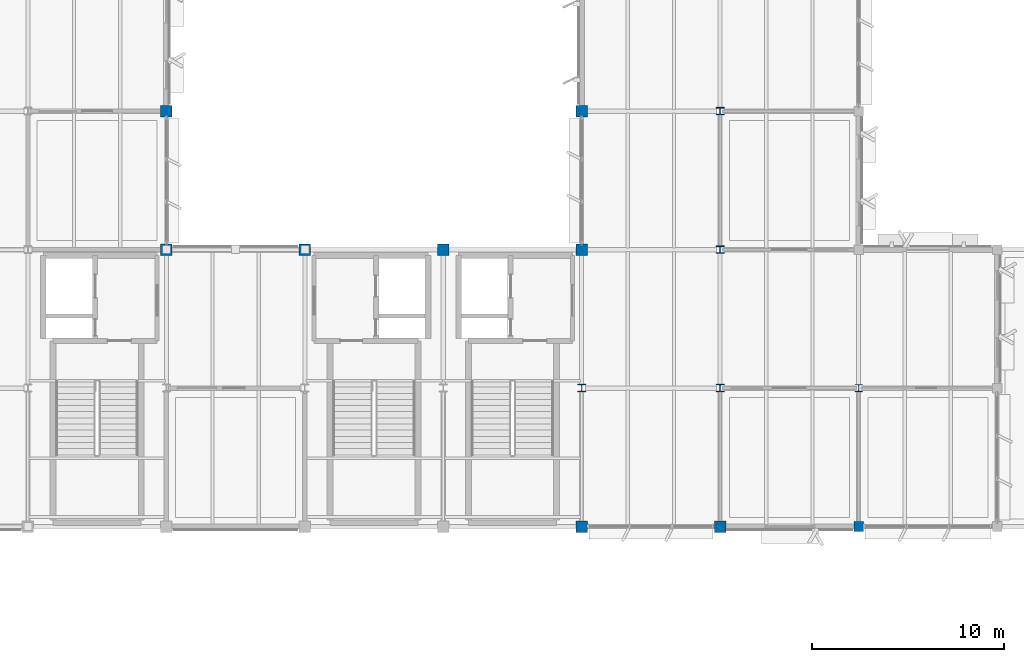
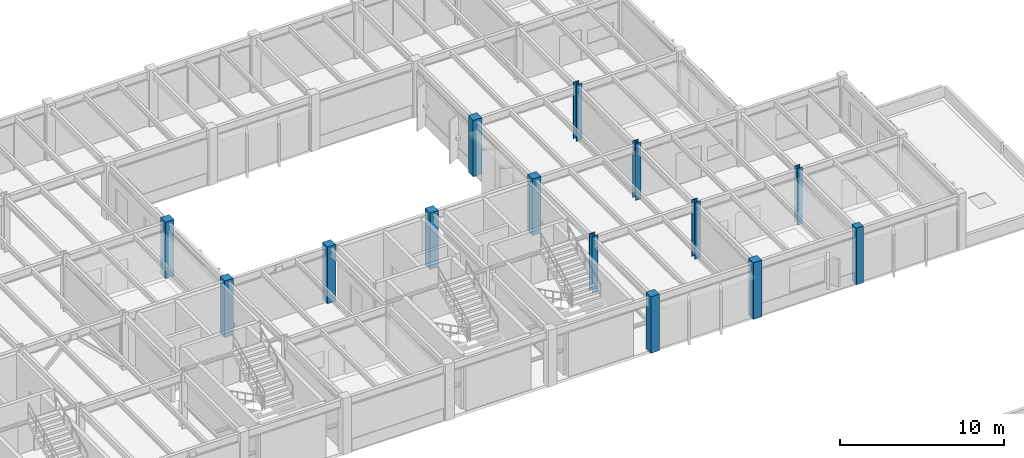
# One storey, part 11 of 85: 14 columns.
"""IFC4 building model written with IfcOpenShell, lengths in metres."""

from ifc_helpers import new_model, si_unit, direction, frame, origin, origin_2d, place, context, subcontext, project, spatial, rectangle, i_section, extrude, material, material_profile, profile_set, type_object, element, save


model = new_model("IFC4")

# Units and contexts
model_context = context("Model", 3, precision=1e-05, world=origin(), true_north=direction((0.0, 1.0)))
body_context = subcontext(model_context, "Body", "Model", "MODEL_VIEW")
ifc_project = project(units=[si_unit("LENGTHUNIT", "METRE"), si_unit("AREAUNIT", "SQUARE_METRE"), si_unit("VOLUMEUNIT", "CUBIC_METRE"), si_unit("PLANEANGLEUNIT", "RADIAN"), si_unit("MASSUNIT", "GRAM", prefix="KILO")], contexts=[model_context])

# Site, building, storey
site_placement = place(None, origin())
site = spatial("IfcSite", under=ifc_project, at=site_placement, CompositionType="ELEMENT")
building_placement = place(site_placement, origin())
building = spatial("IfcBuilding", under=site, at=building_placement, Name="Sillqori Civic Hall", CompositionType="ELEMENT")
storey_placement = place(building_placement, frame((0.0, 0.0, 9.89990234375)))
storey = spatial("IfcBuildingStorey", under=building, at=storey_placement, Name="L03", CompositionType="ELEMENT", Elevation=9.89990234375)

# Columns
ifc_material_1 = material(Name="Concrete C35/45 (H35)", Category="concrete")
ifc_material_profile_1 = material_profile(ifc_material_1, rectangle(XDim=0.5, YDim=0.5, at=origin_2d()), Name="RC 500x500")
ifc_profile_set_1 = profile_set([ifc_material_profile_1], Name="Concrete C35/45 (H35)")
column_type_1 = type_object("IfcColumnType", Name="COL-RC500", PredefinedType="COLUMN", material=ifc_profile_set_1)
column_1_placement = place(storey_placement, frame((108.0, 79.199951171875, 0.0), z_axis=(0.0, 0.0, 1.0), x_axis=(1.0, 0.0, 0.0)))
element("IfcColumn", 1, at=column_1_placement, inside=storey, type_object=column_type_1, Name="L03 column 15-11", PredefinedType="COLUMN", context=body_context, shape_type="SweptSolid", body=[
    extrude(rectangle(XDim=0.5, YDim=0.5, at=origin_2d()), origin(), (0.0, 0.0, 1.0), 4.2001953125),
])
ifc_material_profile_2 = material_profile(ifc_material_1, rectangle(XDim=0.60009765625, YDim=0.60009765625, at=origin_2d()), Name="RC 600x600")
ifc_profile_set_2 = profile_set([ifc_material_profile_2], Name="Concrete C35/45 (H35)")
column_type_2 = type_object("IfcColumnType", Name="COL-RC600", PredefinedType="COLUMN", material=ifc_profile_set_2)
for number, where, z_axis, x_axis, name in (
    (2, (72.0, 93.60009765625, 0.0), (0.0, 0.0, 1.0), (1.0, 0.0, 0.0), "L03 column 10-13"),
    (3, (72.0, 100.800048828125, 0.0), (0.0, 0.0, 1.0), (1.0, 0.0, 0.0), "L03 column 10-14"),
    (4, (79.199951171875, 93.60009765625, 0.0), (0.0, 0.0, 1.0), (1.0, 0.0, 0.0), "L03 column 11-13"),
    (5, (86.39990234375, 93.60009765625, 0.0), (0.0, 0.0, 1.0), (1.0, 0.0, 0.0), "L03 column 12-13"),
    (6, (93.60009765625, 79.199951171875, 0.0), (0.0, 0.0, 1.0), (1.0, 0.0, 0.0), "L03 column 13-11"),
    (7, (93.60009765625, 93.60009765625, 0.0), (0.0, 0.0, 1.0), (1.0, 0.0, 0.0), "L03 column 13-13"),
    (8, (93.60009765625, 100.800048828125, 0.0), (0.0, 0.0, 1.0), (1.0, 0.0, 0.0), "L03 column 13-14"),
    (9, (100.800048828125, 79.199951171875, 0.0), (0.0, 0.0, 1.0), (1.0, 0.0, 0.0), "L03 column 14-11"),
):
    element("IfcColumn", number, at=place(storey_placement, frame(where, z_axis=z_axis, x_axis=x_axis)), inside=storey, type_object=column_type_2, Name=name, PredefinedType="COLUMN", context=body_context, shape_type="SweptSolid", body=[
        extrude(rectangle(XDim=0.60009765625, YDim=0.60009765625, at=origin_2d()), origin(), (0.0, 0.0, 1.0), 4.2001953125),
    ])
ifc_material_2 = material(Name="Steel ASTM A992", Category="steel")
ifc_material_profile_3 = material_profile(ifc_material_2, i_section(OverallWidth=0.39892578125, OverallDepth=0.385986328125, WebThickness=0.02099609375, FlangeThickness=0.033203125, FilletRadius=0.014892578125, at=origin_2d()), Name="W14X176")
ifc_profile_set_3 = profile_set([ifc_material_profile_3], Name="Steel ASTM A992")
column_type_3 = type_object("IfcColumnType", Name="COL-W14X176", PredefinedType="COLUMN", material=ifc_profile_set_3)
for number, where, z_axis, x_axis, name in (
    (10, (93.60009765625, 86.39990234375, 0.0), (0.0, 0.0, 1.0), (1.0, 0.0, 0.0), "L03 column 13-12"),
    (11, (100.800048828125, 86.39990234375, 0.0), (0.0, 0.0, 1.0), (1.0, 0.0, 0.0), "L03 column 14-12"),
    (12, (100.800048828125, 93.60009765625, 0.0), (0.0, 0.0, 1.0), (1.0, 0.0, 0.0), "L03 column 14-13"),
    (13, (100.800048828125, 100.800048828125, 0.0), (0.0, 0.0, 1.0), (1.0, 0.0, 0.0), "L03 column 14-14"),
):
    element("IfcColumn", number, at=place(storey_placement, frame(where, z_axis=z_axis, x_axis=x_axis)), inside=storey, type_object=column_type_3, Name=name, PredefinedType="COLUMN", context=body_context, shape_type="SweptSolid", body=[
        extrude(i_section(OverallWidth=0.39892578125, OverallDepth=0.385986328125, WebThickness=0.02099609375, FlangeThickness=0.033203125, FilletRadius=0.014892578125, at=origin_2d()), origin(), (0.0, 0.0, 1.0), 4.2001953125),
    ])
ifc_material_profile_4 = material_profile(ifc_material_2, i_section(OverallWidth=0.37109375, OverallDepth=0.361083984375, WebThickness=0.012451171875, FlangeThickness=0.019775390625, FilletRadius=0.014892578125, at=origin_2d()), Name="W14X99")
ifc_profile_set_4 = profile_set([ifc_material_profile_4], Name="Steel ASTM A992")
column_type_4 = type_object("IfcColumnType", Name="COL-W14X99", PredefinedType="COLUMN", material=ifc_profile_set_4)
column_2_placement = place(storey_placement, frame((108.0, 86.39990234375, 0.0), z_axis=(0.0, 0.0, 1.0), x_axis=(1.0, 0.0, 0.0)))
element("IfcColumn", 14, at=column_2_placement, inside=storey, type_object=column_type_4, Name="L03 column 15-12", PredefinedType="COLUMN", context=body_context, shape_type="SweptSolid", body=[
    extrude(i_section(OverallWidth=0.37109375, OverallDepth=0.361083984375, WebThickness=0.012451171875, FlangeThickness=0.019775390625, FilletRadius=0.014892578125, at=origin_2d()), origin(), (0.0, 0.0, 1.0), 4.2001953125),
])

save(model, "model.ifc")
